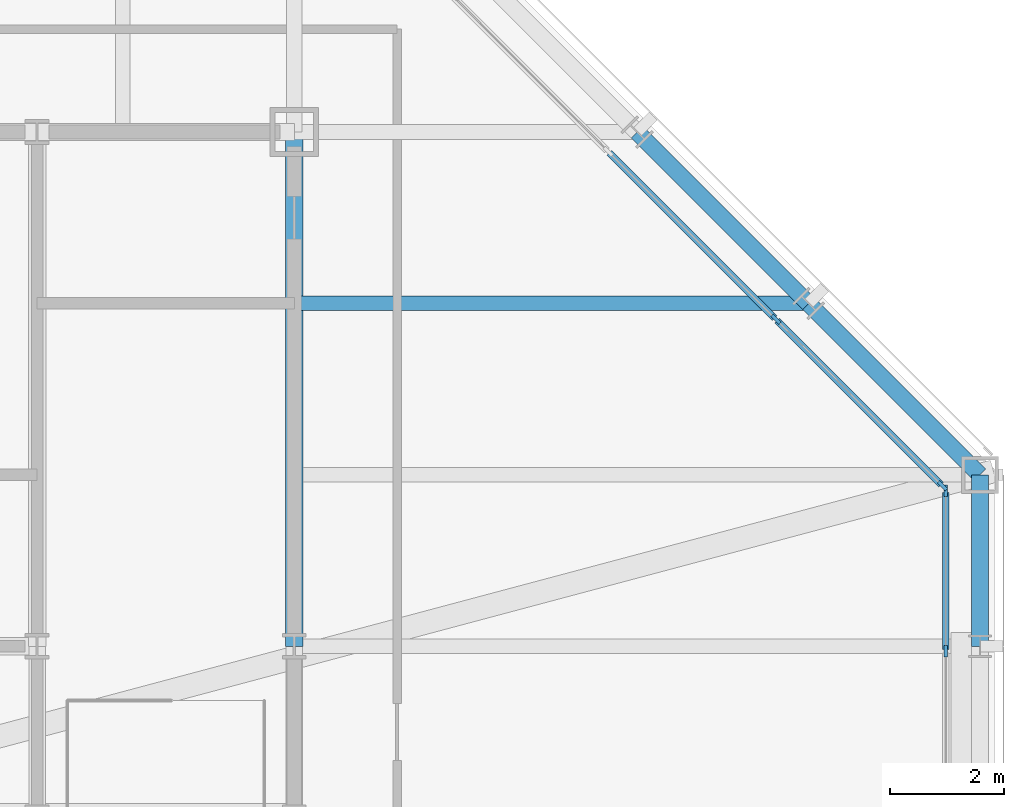
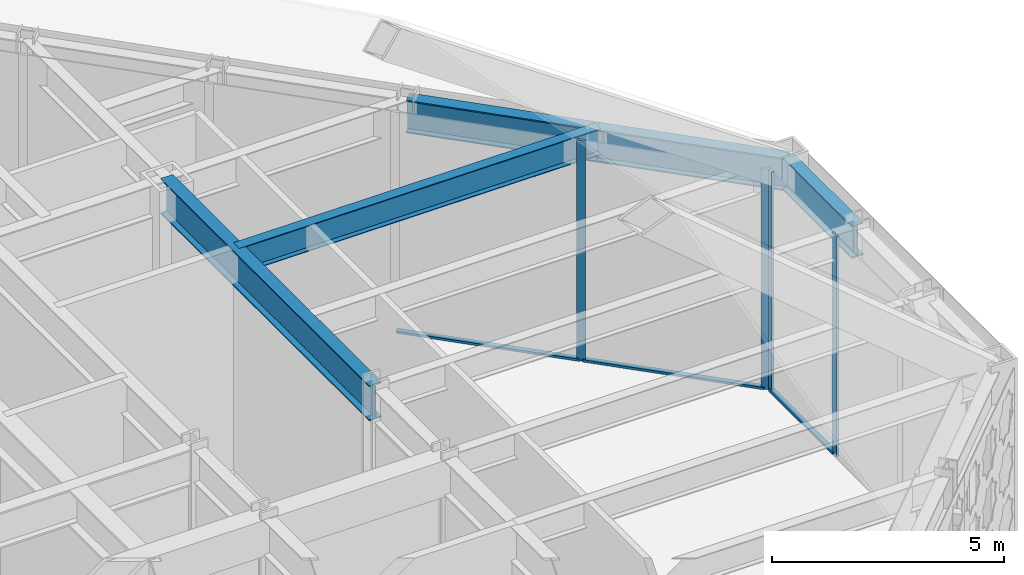
# One storey, part 9 of 30: 7 members, 5 beams, 2 elements without a shape of their own.
"""IFC4 building model written with IfcOpenShell, lengths in metres."""

from ifc_helpers import new_model, si_unit, direction, frame, origin, origin_2d, place, context, subcontext, project, spatial, rectangle, i_section, extrude, material, layer, layer_set, material_profile, profile_set, type_object, element, aggregate, save


model = new_model("IFC4")

# Units and contexts
model_context = context("Model", 3, precision=1e-05, world=origin(), true_north=direction((0.0, 1.0)))
body_context = subcontext(model_context, "Body", "Model", "MODEL_VIEW")
ifc_project = project(units=[si_unit("LENGTHUNIT", "METRE"), si_unit("AREAUNIT", "SQUARE_METRE"), si_unit("VOLUMEUNIT", "CUBIC_METRE"), si_unit("PLANEANGLEUNIT", "RADIAN"), si_unit("MASSUNIT", "GRAM", prefix="KILO")], contexts=[model_context])

# Site, building, storey
site_placement = place(None, origin())
site = spatial("IfcSite", under=ifc_project, at=site_placement, CompositionType="ELEMENT")
building_placement = place(site_placement, origin())
building = spatial("IfcBuilding", under=site, at=building_placement, Name="Chuquiago Exchange Tower", CompositionType="ELEMENT")
storey_placement = place(building_placement, frame((0.0, 0.0, 306.0)))
storey = spatial("IfcBuildingStorey", under=building, at=storey_placement, Name="L68", CompositionType="ELEMENT", Elevation=306.0)

# Beams
ifc_material_1 = material(Name="Steel ASTM A992", Category="steel")
ifc_material_profile_1 = material_profile(ifc_material_1, i_section(OverallWidth=0.25390625, OverallDepth=0.683349609375, WebThickness=0.012451171875, FlangeThickness=0.018798828125, at=origin_2d()), Name="W27X94")
ifc_profile_set_1 = profile_set([ifc_material_profile_1], Name="Steel ASTM A992")
beam_type_1 = type_object("IfcBeamType", Name="B1 W27X94", PredefinedType="BEAM", material=ifc_profile_set_1)
beam_1_placement = place(storey_placement, frame((33.0, 30.0, 5.45849609375), z_axis=(1.0, 0.0, 0.0), x_axis=(0.0, 1.0, 0.0)))
element("IfcBeam", 1, at=beam_1_placement, inside=storey, type_object=beam_type_1, Name="FB-ROOF-infill-33_30-42_30", PredefinedType="BEAM", context=body_context, shape_type="SweptSolid", body=[
    extrude(i_section(OverallWidth=0.25390625, OverallDepth=0.683349609375, WebThickness=0.012451171875, FlangeThickness=0.018798828125, at=origin_2d()), origin(), (0.0, 0.0, 1.0), 9.0),
])
ifc_material_2 = material(Name="Steel ASTM A992", Category="steel")
ifc_material_profile_2 = material_profile(ifc_material_2, i_section(OverallWidth=0.307373046875, OverallDepth=0.927001953125, WebThickness=0.01953125, FlangeThickness=0.031982421875, at=origin_2d()), Name="W36X194")
ifc_profile_set_2 = profile_set([ifc_material_profile_2], Name="Steel ASTM A992")
beam_type_2 = type_object("IfcBeamType", Name="B10 W36X194", PredefinedType="BEAM", material=ifc_profile_set_2)
beam_2_placement = place(storey_placement, frame((33.0, 24.0, 5.33642578125), z_axis=(0.0, 1.0, 0.0), x_axis=(-1.0, 0.0, 0.0)))
element("IfcBeam", 2, at=beam_2_placement, inside=storey, type_object=beam_type_2, Name="CB-ROOF-33_24-33_33", PredefinedType="BEAM", context=body_context, shape_type="SweptSolid", body=[
    extrude(i_section(OverallWidth=0.307373046875, OverallDepth=0.927001953125, WebThickness=0.01953125, FlangeThickness=0.031982421875, at=origin_2d()), origin(), (0.0, 0.0, 1.0), 9.0),
])

# Curtain wall, members
ifc_material_3 = material(Name="Aluminium curtain wall system", Category="aluminium")
ifc_layer = layer(ifc_material_3, 0.199951171875)
ifc_layer_set = layer_set([ifc_layer], Name="CW5 lantern curtain wall")
curtain_wall_type = type_object("IfcCurtainWallType", Name="CW5 lantern curtain wall", PredefinedType="NOTDEFINED", material=ifc_layer_set)
curtain_wall_1_placement = place(storey_placement, origin())
curtain_wall_1 = element("IfcCurtainWall", 3, at=curtain_wall_1_placement, inside=storey, type_object=curtain_wall_type, Name="CW5 curtain wall L68", PredefinedType="NOTDEFINED")
ifc_material_4 = material(Name="Aluminium mullion, pale anodised", Category="aluminium")
ifc_material_profile_3 = material_profile(ifc_material_4, rectangle(XDim=0.06005859375, YDim=0.199951171875, at=origin_2d()), Name="AL 60x200")
ifc_profile_set_3 = profile_set([ifc_material_profile_3], Name="Aluminium mullion, pale anodised")
member_type_1 = type_object("IfcMemberType", Name="CW5-M mullion 60x200", PredefinedType="MULLION", material=ifc_profile_set_3)
member_1_placement = place(storey_placement, frame((44.39990234375, 23.917236328125, 0.0), z_axis=(0.0, 0.0, 1.0), x_axis=(-1.0, 0.0, 0.0)))
member_1 = element("IfcMember", 4, at=member_1_placement, type_object=member_type_1, Name="CW5 mullion 3", PredefinedType="MULLION", context=body_context, shape_type="SweptSolid", body=[
    extrude(rectangle(XDim=0.06005859375, YDim=0.199951171875, at=origin_2d()), origin(), (0.0, 0.0, 1.0), 5.800048828125),
])
member_2_placement = place(storey_placement, frame((44.39990234375, 26.721435546875, 0.0), z_axis=(0.0, 0.0, 1.0), x_axis=(-1.0, 0.0, 0.0)))
member_2 = element("IfcMember", 5, at=member_2_placement, type_object=member_type_1, Name="CW5 mullion 4", PredefinedType="MULLION", context=body_context, shape_type="SweptSolid", body=[
    extrude(rectangle(XDim=0.06005859375, YDim=0.199951171875, at=origin_2d()), origin(), (0.0, 0.0, 1.0), 5.800048828125),
])

curtain_wall_2_placement = place(storey_placement, origin())
curtain_wall_2 = element("IfcCurtainWall", 6, at=curtain_wall_2_placement, inside=storey, type_object=curtain_wall_type, Name="CW5 curtain wall L68", PredefinedType="NOTDEFINED")
member_3_placement = place(storey_placement, frame((44.343505859375, 26.80810546875, 0.0), z_axis=(0.0, 0.0, 1.0), x_axis=(-0.707108788515, -0.707104773852, 0.0)))
member_3 = element("IfcMember", 7, at=member_3_placement, type_object=member_type_1, Name="CW5 mullion 1", PredefinedType="MULLION", context=body_context, shape_type="SweptSolid", body=[
    extrude(rectangle(XDim=0.06005859375, YDim=0.199951171875, at=origin_2d()), origin(), (0.0, 0.0, 1.0), 5.800048828125),
])
member_4_placement = place(storey_placement, frame((41.42919921875, 29.722412109375, 0.0), z_axis=(0.0, 0.0, 1.0), x_axis=(-0.707108788515, -0.707104773852, 0.0)))
member_4 = element("IfcMember", 8, at=member_4_placement, type_object=member_type_1, Name="CW5 mullion 2", PredefinedType="MULLION", context=body_context, shape_type="SweptSolid", body=[
    extrude(rectangle(XDim=0.06005859375, YDim=0.199951171875, at=origin_2d()), origin(), (0.0, 0.0, 1.0), 5.800048828125),
])

# Member
ifc_material_5 = material(Name="Aluminium transom, pale anodised", Category="aluminium")
ifc_material_profile_4 = material_profile(ifc_material_5, rectangle(XDim=0.1201171875, YDim=0.06005859375, at=origin_2d()), Name="AL 120x60")
ifc_profile_set_4 = profile_set([ifc_material_profile_4], Name="Aluminium transom, pale anodised")
member_type_2 = type_object("IfcMemberType", Name="CW5-T transom 60x120", PredefinedType="MULLION", material=ifc_profile_set_4)
member_5_placement = place(storey_placement, frame((44.39990234375, 23.947265625, 0.030029296875), z_axis=(0.0, 1.0, 0.0), x_axis=(-1.0, 0.0, 0.0)))
member_5 = element("IfcMember", 9, at=member_5_placement, type_object=member_type_2, Name="CW5 transom 3.1", PredefinedType="MULLION", context=body_context, shape_type="SweptSolid", body=[
    extrude(rectangle(XDim=0.1201171875, YDim=0.06005859375, at=origin_2d()), origin(), (0.0, 0.0, 1.0), 2.744140625),
])

aggregate(curtain_wall_1, [member_1, member_2, member_5])

member_6_placement = place(storey_placement, frame((44.322265625, 26.829345703125, 0.030029296875), z_axis=(-0.707136835667, 0.707076725429, 0.0), x_axis=(-0.707076725429, -0.707136835667, 0.0)))
member_6 = element("IfcMember", 10, at=member_6_placement, type_object=member_type_2, Name="CW5 transom 1.1", PredefinedType="MULLION", context=body_context, shape_type="SweptSolid", body=[
    extrude(rectangle(XDim=0.1201171875, YDim=0.06005859375, at=origin_2d()), origin(), (0.0, 0.0, 1.0), 4.0615234375),
])

member_7_placement = place(storey_placement, frame((41.407958984375, 29.74365234375, 0.030029296875), z_axis=(-0.707106781187, 0.707106781187, 0.0), x_axis=(-0.707106781187, -0.707106781187, 0.0)))
member_7 = element("IfcMember", 11, at=member_7_placement, type_object=member_type_2, Name="CW5 transom 2.1", PredefinedType="MULLION", context=body_context, shape_type="SweptSolid", body=[
    extrude(rectangle(XDim=0.1201171875, YDim=0.06005859375, at=origin_2d()), origin(), (0.0, 0.0, 1.0), 4.09130859375),
])

aggregate(curtain_wall_2, [member_3, member_4, member_6, member_7])

# Beams
ifc_material_6 = material(Name="Steel ASTM A992", Category="steel")
ifc_material_profile_5 = material_profile(ifc_material_6, i_section(OverallWidth=0.2919921875, OverallDepth=0.8583984375, WebThickness=0.01708984375, FlangeThickness=0.031005859375, at=origin_2d()), Name="W33X169")
ifc_profile_set_5 = profile_set([ifc_material_profile_5], Name="Steel ASTM A992")
beam_type_3 = type_object("IfcBeamType", Name="SP4 W33X169", PredefinedType="SPANDREL", material=ifc_profile_set_5)
beam_3_placement = place(storey_placement, frame((45.0, 24.0, 5.37060546875), z_axis=(0.0, 1.0, 0.0), x_axis=(-1.0, 0.0, 0.0)))
element("IfcBeam", 12, at=beam_3_placement, inside=storey, type_object=beam_type_3, Name="SPB-ROOF-45_24-45_27", PredefinedType="SPANDREL", context=body_context, shape_type="SweptSolid", body=[
    extrude(i_section(OverallWidth=0.2919921875, OverallDepth=0.8583984375, WebThickness=0.01708984375, FlangeThickness=0.031005859375, at=origin_2d()), origin(), (0.0, 0.0, 1.0), 3.0),
])
for number, where, z_axis, x_axis, name in (
    (13, (45.0, 27.0, 5.37060546875), (-0.707106781187, 0.707106781187, 0.0), (-0.707106781187, -0.707106781187, 0.0), "SPB-ROOF-45_27-42_30"),
    (14, (42.0, 30.0, 5.37060546875), (-0.707106781187, 0.707106781187, 0.0), (-0.707106781187, -0.707106781187, 0.0), "SPB-ROOF-42_30-39_33"),
):
    element("IfcBeam", number, at=place(storey_placement, frame(where, z_axis=z_axis, x_axis=x_axis)), inside=storey, type_object=beam_type_3, Name=name, PredefinedType="SPANDREL", context=body_context, shape_type="SweptSolid", body=[
        extrude(i_section(OverallWidth=0.2919921875, OverallDepth=0.8583984375, WebThickness=0.01708984375, FlangeThickness=0.031005859375, at=origin_2d()), origin(), (0.0, 0.0, 1.0), 4.24267578125),
    ])

save(model, "model.ifc")
